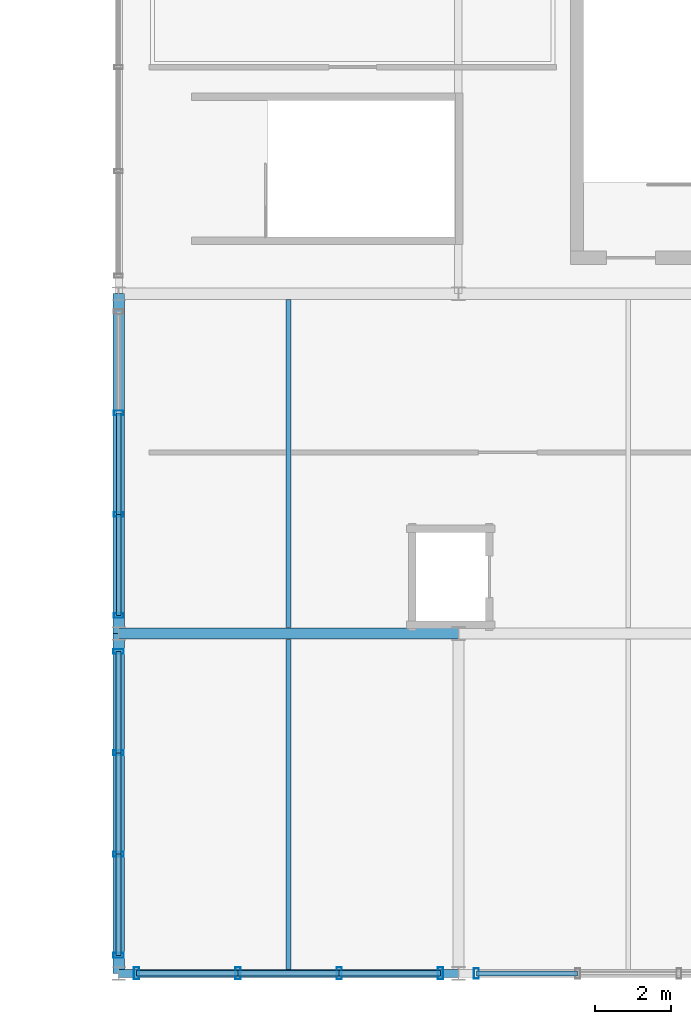
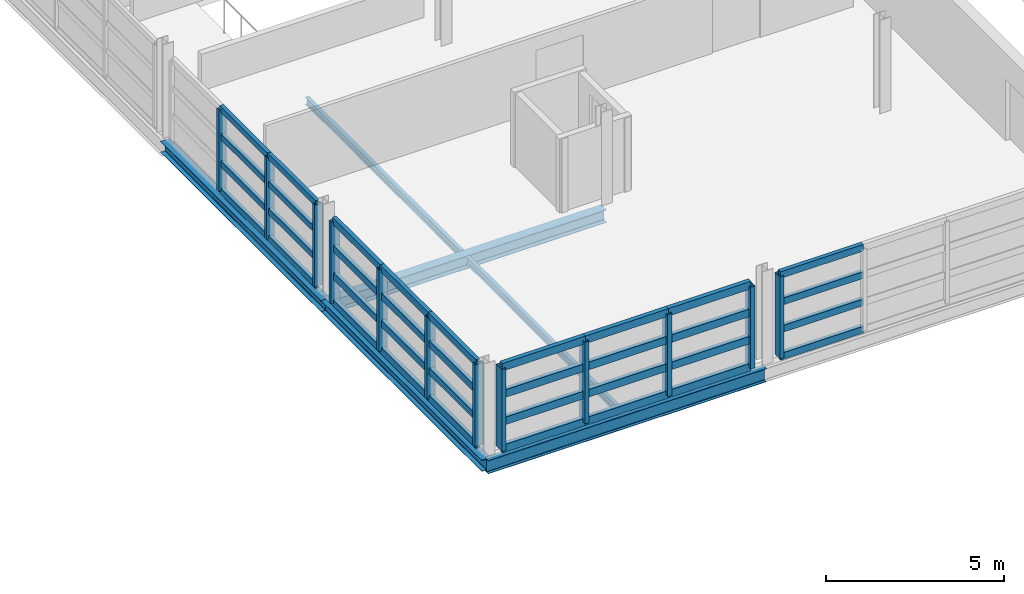
# One storey, part 31 of 86: 48 members, 6 beams, 4 elements without a shape of their own.
"""IFC4 building model written with IfcOpenShell, lengths in metres."""

from ifc_helpers import new_model, si_unit, direction, frame, origin, origin_2d, place, context, subcontext, project, spatial, hollow_rectangle, i_section, extrude, material, material_profile, profile_set, type_object, element, aggregate, save


model = new_model("IFC4")

# Units and contexts
model_context = context("Model", 3, precision=1e-05, world=origin(), true_north=direction((0.0, 1.0)))
body_context = subcontext(model_context, "Body", "Model", "MODEL_VIEW")
ifc_project = project(units=[si_unit("LENGTHUNIT", "METRE"), si_unit("AREAUNIT", "SQUARE_METRE"), si_unit("VOLUMEUNIT", "CUBIC_METRE"), si_unit("PLANEANGLEUNIT", "RADIAN"), si_unit("MASSUNIT", "GRAM", prefix="KILO")], contexts=[model_context])

# Site, building, storey
site_placement = place(None, origin())
site = spatial("IfcSite", under=ifc_project, at=site_placement, CompositionType="ELEMENT")
building_placement = place(site_placement, origin())
building = spatial("IfcBuilding", under=site, at=building_placement, Name="Chuanluo Vaults Station", CompositionType="ELEMENT")
storey_placement = place(building_placement, frame((0.0, 0.0, 14.39990234375)))
storey = spatial("IfcBuildingStorey", under=building, at=storey_placement, Name="L03", CompositionType="ELEMENT", Elevation=14.39990234375)

# Beams
ifc_material_1 = material(Name="Steel Q355C", Category="steel")
ifc_material_profile_1 = material_profile(ifc_material_1, i_section(OverallWidth=0.300048828125, OverallDepth=0.389892578125, WebThickness=0.010009765625, FlangeThickness=0.01611328125, FilletRadius=0.02001953125, at=origin_2d()))
ifc_profile_set_1 = profile_set([ifc_material_profile_1], Name="Steel Q355C")
beam_type_1 = type_object("IfcBeamType", Name="BM-GRD-400", PredefinedType="BEAM", material=ifc_profile_set_1)
for number, where, z_axis, x_axis, name in (
    (1, (136.0, 0.0, -0.39501953125), (0.0, 1.0, 0.0), (-1.0, 0.0, 0.0), "Floor girder BM:GY:L03:0780"),
    (2, (136.0, 9.0, -0.39501953125), (0.0, 1.0, 0.0), (-1.0, 0.0, 0.0), "Floor girder BM:GY:L03:0781"),
):
    element("IfcBeam", number, at=place(storey_placement, frame(where, z_axis=z_axis, x_axis=x_axis)), inside=storey, type_object=beam_type_1, Name=name, PredefinedType="BEAM", context=body_context, shape_type="SweptSolid", body=[
        extrude(i_section(OverallWidth=0.300048828125, OverallDepth=0.389892578125, WebThickness=0.010009765625, FlangeThickness=0.01611328125, FilletRadius=0.02001953125, at=origin_2d()), origin(), (0.0, 0.0, 1.0), 9.0),
    ])
ifc_material_2 = material(Name="Steel Q355C", Category="steel")
ifc_material_profile_2 = material_profile(ifc_material_2, i_section(OverallWidth=0.300048828125, OverallDepth=0.43994140625, WebThickness=0.010986328125, FlangeThickness=0.01806640625, FilletRadius=0.02001953125, at=origin_2d()))
ifc_profile_set_2 = profile_set([ifc_material_profile_2], Name="Steel Q355C")
beam_type_2 = type_object("IfcBeamType", Name="BM-GRD-450", PredefinedType="USERDEFINED", material=ifc_profile_set_2)
beam_1_placement = place(storey_placement, frame((136.0, 9.0, -0.419921875), z_axis=(1.0, 0.0, 0.0), x_axis=(0.0, 1.0, 0.0)))
element("IfcBeam", 3, at=beam_1_placement, inside=storey, type_object=beam_type_2, Name="Floor girder BM:GX:L03:0716", ObjectType="GIRDER", PredefinedType="USERDEFINED", context=body_context, shape_type="SweptSolid", body=[
    extrude(i_section(OverallWidth=0.300048828125, OverallDepth=0.43994140625, WebThickness=0.010986328125, FlangeThickness=0.01806640625, FilletRadius=0.02001953125, at=origin_2d()), origin(), (0.0, 0.0, 1.0), 9.0),
])
ifc_material_3 = material(Name="Steel Q355C", Category="steel")
ifc_material_profile_3 = material_profile(ifc_material_3, i_section(OverallWidth=0.125, OverallDepth=0.25, WebThickness=0.006103515625, FlangeThickness=0.009033203125, FilletRadius=0.011962890625, at=origin_2d()))
ifc_profile_set_3 = profile_set([ifc_material_profile_3], Name="Steel Q355C")
beam_type_3 = type_object("IfcBeamType", Name="BM-SEC-250", PredefinedType="JOIST", material=ifc_profile_set_3)
beam_2_placement = place(storey_placement, frame((140.5, 0.107421875, -0.324951171875), z_axis=(0.0, 1.0, 0.0), x_axis=(-1.0, 0.0, 0.0)))
element("IfcBeam", 4, at=beam_2_placement, inside=storey, type_object=beam_type_3, Name="Composite secondary joist 0232", PredefinedType="JOIST", context=body_context, shape_type="SweptSolid", body=[
    extrude(i_section(OverallWidth=0.125, OverallDepth=0.25, WebThickness=0.006103515625, FlangeThickness=0.009033203125, FilletRadius=0.011962890625, at=origin_2d()), origin(), (0.0, 0.0, 1.0), 8.737548828125),
])
beam_3_placement = place(storey_placement, frame((140.5, 9.155029296875, -0.324951171875), z_axis=(0.0, 1.0, 0.0), x_axis=(-1.0, 0.0, 0.0)))
element("IfcBeam", 5, at=beam_3_placement, inside=storey, type_object=beam_type_3, Name="Composite secondary joist 0233", PredefinedType="JOIST", context=body_context, shape_type="SweptSolid", body=[
    extrude(i_section(OverallWidth=0.125, OverallDepth=0.25, WebThickness=0.006103515625, FlangeThickness=0.009033203125, FilletRadius=0.011962890625, at=origin_2d()), origin(), (0.0, 0.0, 1.0), 8.68994140625),
])
ifc_material_4 = material(Name="Steel Q355C", Category="steel")
ifc_material_profile_4 = material_profile(ifc_material_4, i_section(OverallWidth=0.205078125, OverallDepth=0.4599609375, WebThickness=0.009033203125, FlangeThickness=0.013916015625, FilletRadius=0.01611328125, at=origin_2d()))
ifc_profile_set_4 = profile_set([ifc_material_profile_4], Name="Steel Q355C")
beam_type_4 = type_object("IfcBeamType", Name="BM-SPN-450", PredefinedType="SPANDREL", material=ifc_profile_set_4)
beam_4_placement = place(storey_placement, frame((136.0, 0.0, -0.429931640625), z_axis=(1.0, 0.0, 0.0), x_axis=(0.0, 1.0, 0.0)))
element("IfcBeam", 6, at=beam_4_placement, inside=storey, type_object=beam_type_4, Name="Floor girder BM:GX:L03:0711", PredefinedType="SPANDREL", context=body_context, shape_type="SweptSolid", body=[
    extrude(i_section(OverallWidth=0.205078125, OverallDepth=0.4599609375, WebThickness=0.009033203125, FlangeThickness=0.013916015625, FilletRadius=0.01611328125, at=origin_2d()), origin(), (0.0, 0.0, 1.0), 9.0),
])

# Curtain wall, members
ifc_material_5 = material(Name="Anodised aluminium 6063-T6", Category="aluminium")
curtain_wall_type_1 = type_object("IfcCurtainWallType", Name="CW-SYS-03", PredefinedType="NOTDEFINED", material=ifc_material_5)
curtain_wall_1_placement = place(storey_placement, origin())
curtain_wall_1 = element("IfcCurtainWall", 7, at=curtain_wall_1_placement, inside=storey, type_object=curtain_wall_type_1, Name="Retail pavilion L03 facade CW", PredefinedType="NOTDEFINED")
ifc_material_6 = material(Name="Anodised aluminium 6063-T6", Category="aluminium")
ifc_material_profile_5 = material_profile(ifc_material_6, hollow_rectangle(XDim=0.1201171875, YDim=0.25, WallThickness=0.006103515625, at=origin_2d()))
ifc_profile_set_5 = profile_set([ifc_material_profile_5], Name="Anodised aluminium 6063-T6")
member_type_1 = type_object("IfcMemberType", Name="CWM-160", PredefinedType="MULLION", material=ifc_profile_set_5)
member_1_placement = place(storey_placement, frame((136.0, 9.47509765625, 0.0), z_axis=(0.0, 0.0, 1.0), x_axis=(0.0, 1.0, 0.0)))
member_1 = element("IfcMember", 8, at=member_1_placement, type_object=member_type_1, Name="Retail pavilion L03 facade CW mullion 1", PredefinedType="MULLION", context=body_context, shape_type="SweptSolid", body=[
    extrude(hollow_rectangle(XDim=0.1201171875, YDim=0.25, WallThickness=0.006103515625, at=origin_2d()), origin(), (0.0, 0.0, 1.0), 2.800048828125),
])
member_2_placement = place(storey_placement, frame((136.0, 12.158203125, 0.0), z_axis=(0.0, 0.0, 1.0), x_axis=(0.0, 1.0, 0.0)))
member_2 = element("IfcMember", 9, at=member_2_placement, type_object=member_type_1, Name="Retail pavilion L03 facade CW mullion 2", PredefinedType="MULLION", context=body_context, shape_type="SweptSolid", body=[
    extrude(hollow_rectangle(XDim=0.1201171875, YDim=0.25, WallThickness=0.006103515625, at=origin_2d()), origin(), (0.0, 0.0, 1.0), 2.800048828125),
])
member_3_placement = place(storey_placement, frame((136.0, 14.841796875, 0.0), z_axis=(0.0, 0.0, 1.0), x_axis=(0.0, 1.0, 0.0)))
member_3 = element("IfcMember", 10, at=member_3_placement, type_object=member_type_1, Name="Retail pavilion L03 facade CW mullion 3", PredefinedType="MULLION", context=body_context, shape_type="SweptSolid", body=[
    extrude(hollow_rectangle(XDim=0.1201171875, YDim=0.25, WallThickness=0.006103515625, at=origin_2d()), origin(), (0.0, 0.0, 1.0), 2.800048828125),
])

ifc_material_7 = material(Name="Anodised aluminium 6063-T6", Category="aluminium")
curtain_wall_type_2 = type_object("IfcCurtainWallType", Name="CW-SYS-02", PredefinedType="NOTDEFINED", material=ifc_material_7)
curtain_wall_2_placement = place(storey_placement, origin())
curtain_wall_2 = element("IfcCurtainWall", 11, at=curtain_wall_2_placement, inside=storey, type_object=curtain_wall_type_2, Name="Retail pavilion L03 facade CW", PredefinedType="NOTDEFINED")
ifc_material_8 = material(Name="Anodised aluminium 6063-T6", Category="aluminium")
ifc_material_profile_6 = material_profile(ifc_material_8, hollow_rectangle(XDim=0.1298828125, YDim=0.280029296875, WallThickness=0.007080078125, at=origin_2d()))
ifc_profile_set_6 = profile_set([ifc_material_profile_6], Name="Anodised aluminium 6063-T6")
member_type_2 = type_object("IfcMemberType", Name="CWM-180", PredefinedType="MULLION", material=ifc_profile_set_6)
member_4_placement = place(storey_placement, frame((136.0, 0.47509765625, 0.0), z_axis=(0.0, 0.0, 1.0), x_axis=(0.0, 1.0, 0.0)))
member_4 = element("IfcMember", 12, at=member_4_placement, type_object=member_type_2, Name="Retail pavilion L03 facade CW mullion 1", PredefinedType="MULLION", context=body_context, shape_type="SweptSolid", body=[
    extrude(hollow_rectangle(XDim=0.1298828125, YDim=0.280029296875, WallThickness=0.007080078125, at=origin_2d()), origin(), (0.0, 0.0, 1.0), 2.800048828125),
])
member_5_placement = place(storey_placement, frame((136.0, 3.158203125, 0.0), z_axis=(0.0, 0.0, 1.0), x_axis=(0.0, 1.0, 0.0)))
member_5 = element("IfcMember", 13, at=member_5_placement, type_object=member_type_2, Name="Retail pavilion L03 facade CW mullion 2", PredefinedType="MULLION", context=body_context, shape_type="SweptSolid", body=[
    extrude(hollow_rectangle(XDim=0.1298828125, YDim=0.280029296875, WallThickness=0.007080078125, at=origin_2d()), origin(), (0.0, 0.0, 1.0), 2.800048828125),
])
member_6_placement = place(storey_placement, frame((136.0, 5.841796875, 0.0), z_axis=(0.0, 0.0, 1.0), x_axis=(0.0, 1.0, 0.0)))
member_6 = element("IfcMember", 14, at=member_6_placement, type_object=member_type_2, Name="Retail pavilion L03 facade CW mullion 3", PredefinedType="MULLION", context=body_context, shape_type="SweptSolid", body=[
    extrude(hollow_rectangle(XDim=0.1298828125, YDim=0.280029296875, WallThickness=0.007080078125, at=origin_2d()), origin(), (0.0, 0.0, 1.0), 2.800048828125),
])
member_7_placement = place(storey_placement, frame((136.0, 8.52490234375, 0.0), z_axis=(0.0, 0.0, 1.0), x_axis=(0.0, 1.0, 0.0)))
member_7 = element("IfcMember", 15, at=member_7_placement, type_object=member_type_2, Name="Retail pavilion L03 facade CW mullion 4", PredefinedType="MULLION", context=body_context, shape_type="SweptSolid", body=[
    extrude(hollow_rectangle(XDim=0.1298828125, YDim=0.280029296875, WallThickness=0.007080078125, at=origin_2d()), origin(), (0.0, 0.0, 1.0), 2.800048828125),
])

# Curtain wall, member
ifc_material_9 = material(Name="Anodised aluminium 6063-T6", Category="aluminium")
curtain_wall_type_3 = type_object("IfcCurtainWallType", Name="CW-SYS-06", PredefinedType="NOTDEFINED", material=ifc_material_9)
curtain_wall_3_placement = place(storey_placement, origin())
curtain_wall_3 = element("IfcCurtainWall", 16, at=curtain_wall_3_placement, inside=storey, type_object=curtain_wall_type_3, Name="Retail pavilion L03 facade CW", PredefinedType="NOTDEFINED")
member_8_placement = place(storey_placement, frame((145.47509765625, 0.0, 0.0), z_axis=(0.0, 0.0, 1.0), x_axis=(-1.0, 0.0, 0.0)))
member_8 = element("IfcMember", 17, at=member_8_placement, type_object=member_type_2, Name="Retail pavilion L03 facade CW mullion 4", PredefinedType="MULLION", context=body_context, shape_type="SweptSolid", body=[
    extrude(hollow_rectangle(XDim=0.1298828125, YDim=0.280029296875, WallThickness=0.007080078125, at=origin_2d()), origin(), (0.0, 0.0, 1.0), 2.800048828125),
])

# Curtain wall, members
ifc_material_10 = material(Name="Anodised aluminium 6063-T6", Category="aluminium")
curtain_wall_type_4 = type_object("IfcCurtainWallType", Name="CW-SYS-05", PredefinedType="NOTDEFINED", material=ifc_material_10)
curtain_wall_4_placement = place(storey_placement, origin())
curtain_wall_4 = element("IfcCurtainWall", 18, at=curtain_wall_4_placement, inside=storey, type_object=curtain_wall_type_4, Name="Retail pavilion L03 facade CW", PredefinedType="NOTDEFINED")
ifc_material_11 = material(Name="Anodised aluminium 6063-T6", Category="aluminium")
ifc_material_profile_7 = material_profile(ifc_material_11, hollow_rectangle(XDim=0.139892578125, YDim=0.320068359375, WallThickness=0.008056640625, at=origin_2d()))
ifc_profile_set_7 = profile_set([ifc_material_profile_7], Name="Anodised aluminium 6063-T6")
member_type_3 = type_object("IfcMemberType", Name="CWM-220", PredefinedType="MULLION", material=ifc_profile_set_7)
member_9_placement = place(storey_placement, frame((144.52490234375, 0.0, 0.0), z_axis=(0.0, 0.0, 1.0), x_axis=(-1.0, 0.0, 0.0)))
member_9 = element("IfcMember", 19, at=member_9_placement, type_object=member_type_3, Name="Retail pavilion L03 facade CW mullion 1", PredefinedType="MULLION", context=body_context, shape_type="SweptSolid", body=[
    extrude(hollow_rectangle(XDim=0.139892578125, YDim=0.320068359375, WallThickness=0.008056640625, at=origin_2d()), origin(), (0.0, 0.0, 1.0), 2.800048828125),
])
member_10_placement = place(storey_placement, frame((141.841796875, 0.0, 0.0), z_axis=(0.0, 0.0, 1.0), x_axis=(-1.0, 0.0, 0.0)))
member_10 = element("IfcMember", 20, at=member_10_placement, type_object=member_type_3, Name="Retail pavilion L03 facade CW mullion 2", PredefinedType="MULLION", context=body_context, shape_type="SweptSolid", body=[
    extrude(hollow_rectangle(XDim=0.139892578125, YDim=0.320068359375, WallThickness=0.008056640625, at=origin_2d()), origin(), (0.0, 0.0, 1.0), 2.800048828125),
])
member_11_placement = place(storey_placement, frame((139.158203125, 0.0, 0.0), z_axis=(0.0, 0.0, 1.0), x_axis=(-1.0, 0.0, 0.0)))
member_11 = element("IfcMember", 21, at=member_11_placement, type_object=member_type_3, Name="Retail pavilion L03 facade CW mullion 3", PredefinedType="MULLION", context=body_context, shape_type="SweptSolid", body=[
    extrude(hollow_rectangle(XDim=0.139892578125, YDim=0.320068359375, WallThickness=0.008056640625, at=origin_2d()), origin(), (0.0, 0.0, 1.0), 2.800048828125),
])
member_12_placement = place(storey_placement, frame((136.47509765625, 0.0, 0.0), z_axis=(0.0, 0.0, 1.0), x_axis=(-1.0, 0.0, 0.0)))
member_12 = element("IfcMember", 22, at=member_12_placement, type_object=member_type_3, Name="Retail pavilion L03 facade CW mullion 4", PredefinedType="MULLION", context=body_context, shape_type="SweptSolid", body=[
    extrude(hollow_rectangle(XDim=0.139892578125, YDim=0.320068359375, WallThickness=0.008056640625, at=origin_2d()), origin(), (0.0, 0.0, 1.0), 2.800048828125),
])

# Member
ifc_material_12 = material(Name="Anodised aluminium 6063-T6", Category="aluminium")
ifc_material_profile_8 = material_profile(ifc_material_12, hollow_rectangle(XDim=0.1201171875, YDim=0.205078125, WallThickness=0.006103515625, at=origin_2d()))
ifc_profile_set_8 = profile_set([ifc_material_profile_8], Name="Anodised aluminium 6063-T6")
member_type_4 = type_object("IfcMemberType", Name="CWT-130", PredefinedType="USERDEFINED", material=ifc_profile_set_8)
member_13_placement = place(storey_placement, frame((136.0, 9.47509765625, 0.0), z_axis=(0.0, 1.0, 0.0), x_axis=(-1.0, 0.0, 0.0)))
member_13 = element("IfcMember", 23, at=member_13_placement, type_object=member_type_4, Name="Retail pavilion L03 facade CW transom 1.1", ObjectType="TRANSOM", PredefinedType="USERDEFINED", context=body_context, shape_type="SweptSolid", body=[
    extrude(hollow_rectangle(XDim=0.1201171875, YDim=0.205078125, WallThickness=0.006103515625, at=origin_2d()), origin(), (0.0, 0.0, 1.0), 2.68310546875),
])

member_14_placement = place(storey_placement, frame((136.0, 9.47509765625, 0.933349609375), z_axis=(0.0, 1.0, 0.0), x_axis=(-1.0, 0.0, 0.0)))
member_14 = element("IfcMember", 24, at=member_14_placement, type_object=member_type_4, Name="Retail pavilion L03 facade CW transom 1.2", ObjectType="TRANSOM", PredefinedType="USERDEFINED", context=body_context, shape_type="SweptSolid", body=[
    extrude(hollow_rectangle(XDim=0.1201171875, YDim=0.205078125, WallThickness=0.006103515625, at=origin_2d()), origin(), (0.0, 0.0, 1.0), 2.68310546875),
])

member_15_placement = place(storey_placement, frame((136.0, 9.47509765625, 1.86669921875), z_axis=(0.0, 1.0, 0.0), x_axis=(-1.0, 0.0, 0.0)))
member_15 = element("IfcMember", 25, at=member_15_placement, type_object=member_type_4, Name="Retail pavilion L03 facade CW transom 1.3", ObjectType="TRANSOM", PredefinedType="USERDEFINED", context=body_context, shape_type="SweptSolid", body=[
    extrude(hollow_rectangle(XDim=0.1201171875, YDim=0.205078125, WallThickness=0.006103515625, at=origin_2d()), origin(), (0.0, 0.0, 1.0), 2.68310546875),
])

member_16_placement = place(storey_placement, frame((136.0, 9.47509765625, 2.800048828125), z_axis=(0.0, 1.0, 0.0), x_axis=(-1.0, 0.0, 0.0)))
member_16 = element("IfcMember", 26, at=member_16_placement, type_object=member_type_4, Name="Retail pavilion L03 facade CW transom 1.4", ObjectType="TRANSOM", PredefinedType="USERDEFINED", context=body_context, shape_type="SweptSolid", body=[
    extrude(hollow_rectangle(XDim=0.1201171875, YDim=0.205078125, WallThickness=0.006103515625, at=origin_2d()), origin(), (0.0, 0.0, 1.0), 2.68310546875),
])

member_17_placement = place(storey_placement, frame((136.0, 12.158203125, 0.0), z_axis=(0.0, 1.0, 0.0), x_axis=(-1.0, 0.0, 0.0)))
member_17 = element("IfcMember", 27, at=member_17_placement, type_object=member_type_4, Name="Retail pavilion L03 facade CW transom 2.1", ObjectType="TRANSOM", PredefinedType="USERDEFINED", context=body_context, shape_type="SweptSolid", body=[
    extrude(hollow_rectangle(XDim=0.1201171875, YDim=0.205078125, WallThickness=0.006103515625, at=origin_2d()), origin(), (0.0, 0.0, 1.0), 2.68359375),
])

member_18_placement = place(storey_placement, frame((136.0, 12.158203125, 0.933349609375), z_axis=(0.0, 1.0, 0.0), x_axis=(-1.0, 0.0, 0.0)))
member_18 = element("IfcMember", 28, at=member_18_placement, type_object=member_type_4, Name="Retail pavilion L03 facade CW transom 2.2", ObjectType="TRANSOM", PredefinedType="USERDEFINED", context=body_context, shape_type="SweptSolid", body=[
    extrude(hollow_rectangle(XDim=0.1201171875, YDim=0.205078125, WallThickness=0.006103515625, at=origin_2d()), origin(), (0.0, 0.0, 1.0), 2.68359375),
])

member_19_placement = place(storey_placement, frame((136.0, 12.158203125, 1.86669921875), z_axis=(0.0, 1.0, 0.0), x_axis=(-1.0, 0.0, 0.0)))
member_19 = element("IfcMember", 29, at=member_19_placement, type_object=member_type_4, Name="Retail pavilion L03 facade CW transom 2.3", ObjectType="TRANSOM", PredefinedType="USERDEFINED", context=body_context, shape_type="SweptSolid", body=[
    extrude(hollow_rectangle(XDim=0.1201171875, YDim=0.205078125, WallThickness=0.006103515625, at=origin_2d()), origin(), (0.0, 0.0, 1.0), 2.68359375),
])

member_20_placement = place(storey_placement, frame((136.0, 12.158203125, 2.800048828125), z_axis=(0.0, 1.0, 0.0), x_axis=(-1.0, 0.0, 0.0)))
member_20 = element("IfcMember", 30, at=member_20_placement, type_object=member_type_4, Name="Retail pavilion L03 facade CW transom 2.4", ObjectType="TRANSOM", PredefinedType="USERDEFINED", context=body_context, shape_type="SweptSolid", body=[
    extrude(hollow_rectangle(XDim=0.1201171875, YDim=0.205078125, WallThickness=0.006103515625, at=origin_2d()), origin(), (0.0, 0.0, 1.0), 2.68359375),
])

aggregate(curtain_wall_1, [member_1, member_2, member_3, member_13, member_14, member_15, member_16, member_17, member_18, member_19, member_20])

ifc_material_13 = material(Name="Anodised aluminium 6063-T6", Category="aluminium")
ifc_material_profile_9 = material_profile(ifc_material_13, hollow_rectangle(XDim=0.1298828125, YDim=0.22998046875, WallThickness=0.006103515625, at=origin_2d()))
ifc_profile_set_9 = profile_set([ifc_material_profile_9], Name="Anodised aluminium 6063-T6")
member_type_5 = type_object("IfcMemberType", Name="CWT-150", PredefinedType="USERDEFINED", material=ifc_profile_set_9)
member_21_placement = place(storey_placement, frame((136.0, 0.47509765625, 0.0), z_axis=(0.0, 1.0, 0.0), x_axis=(-1.0, 0.0, 0.0)))
member_21 = element("IfcMember", 31, at=member_21_placement, type_object=member_type_5, Name="Retail pavilion L03 facade CW transom 1.1", ObjectType="TRANSOM", PredefinedType="USERDEFINED", context=body_context, shape_type="SweptSolid", body=[
    extrude(hollow_rectangle(XDim=0.1298828125, YDim=0.22998046875, WallThickness=0.006103515625, at=origin_2d()), origin(), (0.0, 0.0, 1.0), 2.68310546875),
])

member_22_placement = place(storey_placement, frame((136.0, 0.47509765625, 0.933349609375), z_axis=(0.0, 1.0, 0.0), x_axis=(-1.0, 0.0, 0.0)))
member_22 = element("IfcMember", 32, at=member_22_placement, type_object=member_type_5, Name="Retail pavilion L03 facade CW transom 1.2", ObjectType="TRANSOM", PredefinedType="USERDEFINED", context=body_context, shape_type="SweptSolid", body=[
    extrude(hollow_rectangle(XDim=0.1298828125, YDim=0.22998046875, WallThickness=0.006103515625, at=origin_2d()), origin(), (0.0, 0.0, 1.0), 2.68310546875),
])

member_23_placement = place(storey_placement, frame((136.0, 0.47509765625, 1.86669921875), z_axis=(0.0, 1.0, 0.0), x_axis=(-1.0, 0.0, 0.0)))
member_23 = element("IfcMember", 33, at=member_23_placement, type_object=member_type_5, Name="Retail pavilion L03 facade CW transom 1.3", ObjectType="TRANSOM", PredefinedType="USERDEFINED", context=body_context, shape_type="SweptSolid", body=[
    extrude(hollow_rectangle(XDim=0.1298828125, YDim=0.22998046875, WallThickness=0.006103515625, at=origin_2d()), origin(), (0.0, 0.0, 1.0), 2.68310546875),
])

member_24_placement = place(storey_placement, frame((136.0, 0.47509765625, 2.800048828125), z_axis=(0.0, 1.0, 0.0), x_axis=(-1.0, 0.0, 0.0)))
member_24 = element("IfcMember", 34, at=member_24_placement, type_object=member_type_5, Name="Retail pavilion L03 facade CW transom 1.4", ObjectType="TRANSOM", PredefinedType="USERDEFINED", context=body_context, shape_type="SweptSolid", body=[
    extrude(hollow_rectangle(XDim=0.1298828125, YDim=0.22998046875, WallThickness=0.006103515625, at=origin_2d()), origin(), (0.0, 0.0, 1.0), 2.68310546875),
])

member_25_placement = place(storey_placement, frame((136.0, 3.158203125, 0.0), z_axis=(0.0, 1.0, 0.0), x_axis=(-1.0, 0.0, 0.0)))
member_25 = element("IfcMember", 35, at=member_25_placement, type_object=member_type_5, Name="Retail pavilion L03 facade CW transom 2.1", ObjectType="TRANSOM", PredefinedType="USERDEFINED", context=body_context, shape_type="SweptSolid", body=[
    extrude(hollow_rectangle(XDim=0.1298828125, YDim=0.22998046875, WallThickness=0.006103515625, at=origin_2d()), origin(), (0.0, 0.0, 1.0), 2.68359375),
])

member_26_placement = place(storey_placement, frame((136.0, 3.158203125, 0.933349609375), z_axis=(0.0, 1.0, 0.0), x_axis=(-1.0, 0.0, 0.0)))
member_26 = element("IfcMember", 36, at=member_26_placement, type_object=member_type_5, Name="Retail pavilion L03 facade CW transom 2.2", ObjectType="TRANSOM", PredefinedType="USERDEFINED", context=body_context, shape_type="SweptSolid", body=[
    extrude(hollow_rectangle(XDim=0.1298828125, YDim=0.22998046875, WallThickness=0.006103515625, at=origin_2d()), origin(), (0.0, 0.0, 1.0), 2.68359375),
])

member_27_placement = place(storey_placement, frame((136.0, 3.158203125, 1.86669921875), z_axis=(0.0, 1.0, 0.0), x_axis=(-1.0, 0.0, 0.0)))
member_27 = element("IfcMember", 37, at=member_27_placement, type_object=member_type_5, Name="Retail pavilion L03 facade CW transom 2.3", ObjectType="TRANSOM", PredefinedType="USERDEFINED", context=body_context, shape_type="SweptSolid", body=[
    extrude(hollow_rectangle(XDim=0.1298828125, YDim=0.22998046875, WallThickness=0.006103515625, at=origin_2d()), origin(), (0.0, 0.0, 1.0), 2.68359375),
])

member_28_placement = place(storey_placement, frame((136.0, 3.158203125, 2.800048828125), z_axis=(0.0, 1.0, 0.0), x_axis=(-1.0, 0.0, 0.0)))
member_28 = element("IfcMember", 38, at=member_28_placement, type_object=member_type_5, Name="Retail pavilion L03 facade CW transom 2.4", ObjectType="TRANSOM", PredefinedType="USERDEFINED", context=body_context, shape_type="SweptSolid", body=[
    extrude(hollow_rectangle(XDim=0.1298828125, YDim=0.22998046875, WallThickness=0.006103515625, at=origin_2d()), origin(), (0.0, 0.0, 1.0), 2.68359375),
])

member_29_placement = place(storey_placement, frame((136.0, 5.841796875, 0.0), z_axis=(0.0, 1.0, 0.0), x_axis=(-1.0, 0.0, 0.0)))
member_29 = element("IfcMember", 39, at=member_29_placement, type_object=member_type_5, Name="Retail pavilion L03 facade CW transom 3.1", ObjectType="TRANSOM", PredefinedType="USERDEFINED", context=body_context, shape_type="SweptSolid", body=[
    extrude(hollow_rectangle(XDim=0.1298828125, YDim=0.22998046875, WallThickness=0.006103515625, at=origin_2d()), origin(), (0.0, 0.0, 1.0), 2.68310546875),
])

member_30_placement = place(storey_placement, frame((136.0, 5.841796875, 0.933349609375), z_axis=(0.0, 1.0, 0.0), x_axis=(-1.0, 0.0, 0.0)))
member_30 = element("IfcMember", 40, at=member_30_placement, type_object=member_type_5, Name="Retail pavilion L03 facade CW transom 3.2", ObjectType="TRANSOM", PredefinedType="USERDEFINED", context=body_context, shape_type="SweptSolid", body=[
    extrude(hollow_rectangle(XDim=0.1298828125, YDim=0.22998046875, WallThickness=0.006103515625, at=origin_2d()), origin(), (0.0, 0.0, 1.0), 2.68310546875),
])

member_31_placement = place(storey_placement, frame((136.0, 5.841796875, 1.86669921875), z_axis=(0.0, 1.0, 0.0), x_axis=(-1.0, 0.0, 0.0)))
member_31 = element("IfcMember", 41, at=member_31_placement, type_object=member_type_5, Name="Retail pavilion L03 facade CW transom 3.3", ObjectType="TRANSOM", PredefinedType="USERDEFINED", context=body_context, shape_type="SweptSolid", body=[
    extrude(hollow_rectangle(XDim=0.1298828125, YDim=0.22998046875, WallThickness=0.006103515625, at=origin_2d()), origin(), (0.0, 0.0, 1.0), 2.68310546875),
])

member_32_placement = place(storey_placement, frame((136.0, 5.841796875, 2.800048828125), z_axis=(0.0, 1.0, 0.0), x_axis=(-1.0, 0.0, 0.0)))
member_32 = element("IfcMember", 42, at=member_32_placement, type_object=member_type_5, Name="Retail pavilion L03 facade CW transom 3.4", ObjectType="TRANSOM", PredefinedType="USERDEFINED", context=body_context, shape_type="SweptSolid", body=[
    extrude(hollow_rectangle(XDim=0.1298828125, YDim=0.22998046875, WallThickness=0.006103515625, at=origin_2d()), origin(), (0.0, 0.0, 1.0), 2.68310546875),
])

aggregate(curtain_wall_2, [member_4, member_5, member_6, member_7, member_21, member_22, member_23, member_24, member_25, member_26, member_27, member_28, member_29, member_30, member_31, member_32])

member_33_placement = place(storey_placement, frame((148.158203125, 0.0, 0.0), z_axis=(-1.0, 0.0, 0.0), x_axis=(0.0, -1.0, 0.0)))
member_33 = element("IfcMember", 43, at=member_33_placement, type_object=member_type_5, Name="Retail pavilion L03 facade CW transom 3.1", ObjectType="TRANSOM", PredefinedType="USERDEFINED", context=body_context, shape_type="SweptSolid", body=[
    extrude(hollow_rectangle(XDim=0.1298828125, YDim=0.22998046875, WallThickness=0.006103515625, at=origin_2d()), origin(), (0.0, 0.0, 1.0), 2.68310546875),
])

member_34_placement = place(storey_placement, frame((148.158203125, 0.0, 0.933349609375), z_axis=(-1.0, 0.0, 0.0), x_axis=(0.0, -1.0, 0.0)))
member_34 = element("IfcMember", 44, at=member_34_placement, type_object=member_type_5, Name="Retail pavilion L03 facade CW transom 3.2", ObjectType="TRANSOM", PredefinedType="USERDEFINED", context=body_context, shape_type="SweptSolid", body=[
    extrude(hollow_rectangle(XDim=0.1298828125, YDim=0.22998046875, WallThickness=0.006103515625, at=origin_2d()), origin(), (0.0, 0.0, 1.0), 2.68310546875),
])

member_35_placement = place(storey_placement, frame((148.158203125, 0.0, 1.86669921875), z_axis=(-1.0, 0.0, 0.0), x_axis=(0.0, -1.0, 0.0)))
member_35 = element("IfcMember", 45, at=member_35_placement, type_object=member_type_5, Name="Retail pavilion L03 facade CW transom 3.3", ObjectType="TRANSOM", PredefinedType="USERDEFINED", context=body_context, shape_type="SweptSolid", body=[
    extrude(hollow_rectangle(XDim=0.1298828125, YDim=0.22998046875, WallThickness=0.006103515625, at=origin_2d()), origin(), (0.0, 0.0, 1.0), 2.68310546875),
])

member_36_placement = place(storey_placement, frame((148.158203125, 0.0, 2.800048828125), z_axis=(-1.0, 0.0, 0.0), x_axis=(0.0, -1.0, 0.0)))
member_36 = element("IfcMember", 46, at=member_36_placement, type_object=member_type_5, Name="Retail pavilion L03 facade CW transom 3.4", ObjectType="TRANSOM", PredefinedType="USERDEFINED", context=body_context, shape_type="SweptSolid", body=[
    extrude(hollow_rectangle(XDim=0.1298828125, YDim=0.22998046875, WallThickness=0.006103515625, at=origin_2d()), origin(), (0.0, 0.0, 1.0), 2.68310546875),
])

aggregate(curtain_wall_3, [member_8, member_33, member_34, member_35, member_36])

ifc_material_14 = material(Name="Anodised aluminium 6063-T6", Category="aluminium")
ifc_material_profile_10 = material_profile(ifc_material_14, hollow_rectangle(XDim=0.139892578125, YDim=0.260009765625, WallThickness=0.007080078125, at=origin_2d()))
ifc_profile_set_10 = profile_set([ifc_material_profile_10], Name="Anodised aluminium 6063-T6")
member_type_6 = type_object("IfcMemberType", Name="CWT-180", PredefinedType="USERDEFINED", material=ifc_profile_set_10)
member_37_placement = place(storey_placement, frame((144.52490234375, 0.0, 0.0), z_axis=(-1.0, 0.0, 0.0), x_axis=(0.0, -1.0, 0.0)))
member_37 = element("IfcMember", 47, at=member_37_placement, type_object=member_type_6, Name="Retail pavilion L03 facade CW transom 1.1", ObjectType="TRANSOM", PredefinedType="USERDEFINED", context=body_context, shape_type="SweptSolid", body=[
    extrude(hollow_rectangle(XDim=0.139892578125, YDim=0.260009765625, WallThickness=0.007080078125, at=origin_2d()), origin(), (0.0, 0.0, 1.0), 2.68310546875),
])

member_38_placement = place(storey_placement, frame((144.52490234375, 0.0, 0.933349609375), z_axis=(-1.0, 0.0, 0.0), x_axis=(0.0, -1.0, 0.0)))
member_38 = element("IfcMember", 48, at=member_38_placement, type_object=member_type_6, Name="Retail pavilion L03 facade CW transom 1.2", ObjectType="TRANSOM", PredefinedType="USERDEFINED", context=body_context, shape_type="SweptSolid", body=[
    extrude(hollow_rectangle(XDim=0.139892578125, YDim=0.260009765625, WallThickness=0.007080078125, at=origin_2d()), origin(), (0.0, 0.0, 1.0), 2.68310546875),
])

member_39_placement = place(storey_placement, frame((144.52490234375, 0.0, 1.86669921875), z_axis=(-1.0, 0.0, 0.0), x_axis=(0.0, -1.0, 0.0)))
member_39 = element("IfcMember", 49, at=member_39_placement, type_object=member_type_6, Name="Retail pavilion L03 facade CW transom 1.3", ObjectType="TRANSOM", PredefinedType="USERDEFINED", context=body_context, shape_type="SweptSolid", body=[
    extrude(hollow_rectangle(XDim=0.139892578125, YDim=0.260009765625, WallThickness=0.007080078125, at=origin_2d()), origin(), (0.0, 0.0, 1.0), 2.68310546875),
])

member_40_placement = place(storey_placement, frame((144.52490234375, 0.0, 2.800048828125), z_axis=(-1.0, 0.0, 0.0), x_axis=(0.0, -1.0, 0.0)))
member_40 = element("IfcMember", 50, at=member_40_placement, type_object=member_type_6, Name="Retail pavilion L03 facade CW transom 1.4", ObjectType="TRANSOM", PredefinedType="USERDEFINED", context=body_context, shape_type="SweptSolid", body=[
    extrude(hollow_rectangle(XDim=0.139892578125, YDim=0.260009765625, WallThickness=0.007080078125, at=origin_2d()), origin(), (0.0, 0.0, 1.0), 2.68310546875),
])

member_41_placement = place(storey_placement, frame((141.841796875, 0.0, 0.0), z_axis=(-1.0, 0.0, 0.0), x_axis=(0.0, -1.0, 0.0)))
member_41 = element("IfcMember", 51, at=member_41_placement, type_object=member_type_6, Name="Retail pavilion L03 facade CW transom 2.1", ObjectType="TRANSOM", PredefinedType="USERDEFINED", context=body_context, shape_type="SweptSolid", body=[
    extrude(hollow_rectangle(XDim=0.139892578125, YDim=0.260009765625, WallThickness=0.007080078125, at=origin_2d()), origin(), (0.0, 0.0, 1.0), 2.68359375),
])

member_42_placement = place(storey_placement, frame((141.841796875, 0.0, 0.933349609375), z_axis=(-1.0, 0.0, 0.0), x_axis=(0.0, -1.0, 0.0)))
member_42 = element("IfcMember", 52, at=member_42_placement, type_object=member_type_6, Name="Retail pavilion L03 facade CW transom 2.2", ObjectType="TRANSOM", PredefinedType="USERDEFINED", context=body_context, shape_type="SweptSolid", body=[
    extrude(hollow_rectangle(XDim=0.139892578125, YDim=0.260009765625, WallThickness=0.007080078125, at=origin_2d()), origin(), (0.0, 0.0, 1.0), 2.68359375),
])

member_43_placement = place(storey_placement, frame((141.841796875, 0.0, 1.86669921875), z_axis=(-1.0, 0.0, 0.0), x_axis=(0.0, -1.0, 0.0)))
member_43 = element("IfcMember", 53, at=member_43_placement, type_object=member_type_6, Name="Retail pavilion L03 facade CW transom 2.3", ObjectType="TRANSOM", PredefinedType="USERDEFINED", context=body_context, shape_type="SweptSolid", body=[
    extrude(hollow_rectangle(XDim=0.139892578125, YDim=0.260009765625, WallThickness=0.007080078125, at=origin_2d()), origin(), (0.0, 0.0, 1.0), 2.68359375),
])

member_44_placement = place(storey_placement, frame((141.841796875, 0.0, 2.800048828125), z_axis=(-1.0, 0.0, 0.0), x_axis=(0.0, -1.0, 0.0)))
member_44 = element("IfcMember", 54, at=member_44_placement, type_object=member_type_6, Name="Retail pavilion L03 facade CW transom 2.4", ObjectType="TRANSOM", PredefinedType="USERDEFINED", context=body_context, shape_type="SweptSolid", body=[
    extrude(hollow_rectangle(XDim=0.139892578125, YDim=0.260009765625, WallThickness=0.007080078125, at=origin_2d()), origin(), (0.0, 0.0, 1.0), 2.68359375),
])

member_45_placement = place(storey_placement, frame((139.158203125, 0.0, 0.0), z_axis=(-1.0, 0.0, 0.0), x_axis=(0.0, -1.0, 0.0)))
member_45 = element("IfcMember", 55, at=member_45_placement, type_object=member_type_6, Name="Retail pavilion L03 facade CW transom 3.1", ObjectType="TRANSOM", PredefinedType="USERDEFINED", context=body_context, shape_type="SweptSolid", body=[
    extrude(hollow_rectangle(XDim=0.139892578125, YDim=0.260009765625, WallThickness=0.007080078125, at=origin_2d()), origin(), (0.0, 0.0, 1.0), 2.68310546875),
])

member_46_placement = place(storey_placement, frame((139.158203125, 0.0, 0.933349609375), z_axis=(-1.0, 0.0, 0.0), x_axis=(0.0, -1.0, 0.0)))
member_46 = element("IfcMember", 56, at=member_46_placement, type_object=member_type_6, Name="Retail pavilion L03 facade CW transom 3.2", ObjectType="TRANSOM", PredefinedType="USERDEFINED", context=body_context, shape_type="SweptSolid", body=[
    extrude(hollow_rectangle(XDim=0.139892578125, YDim=0.260009765625, WallThickness=0.007080078125, at=origin_2d()), origin(), (0.0, 0.0, 1.0), 2.68310546875),
])

member_47_placement = place(storey_placement, frame((139.158203125, 0.0, 1.86669921875), z_axis=(-1.0, 0.0, 0.0), x_axis=(0.0, -1.0, 0.0)))
member_47 = element("IfcMember", 57, at=member_47_placement, type_object=member_type_6, Name="Retail pavilion L03 facade CW transom 3.3", ObjectType="TRANSOM", PredefinedType="USERDEFINED", context=body_context, shape_type="SweptSolid", body=[
    extrude(hollow_rectangle(XDim=0.139892578125, YDim=0.260009765625, WallThickness=0.007080078125, at=origin_2d()), origin(), (0.0, 0.0, 1.0), 2.68310546875),
])

member_48_placement = place(storey_placement, frame((139.158203125, 0.0, 2.800048828125), z_axis=(-1.0, 0.0, 0.0), x_axis=(0.0, -1.0, 0.0)))
member_48 = element("IfcMember", 58, at=member_48_placement, type_object=member_type_6, Name="Retail pavilion L03 facade CW transom 3.4", ObjectType="TRANSOM", PredefinedType="USERDEFINED", context=body_context, shape_type="SweptSolid", body=[
    extrude(hollow_rectangle(XDim=0.139892578125, YDim=0.260009765625, WallThickness=0.007080078125, at=origin_2d()), origin(), (0.0, 0.0, 1.0), 2.68310546875),
])

aggregate(curtain_wall_4, [member_9, member_10, member_11, member_12, member_37, member_38, member_39, member_40, member_41, member_42, member_43, member_44, member_45, member_46, member_47, member_48])

save(model, "model.ifc")
